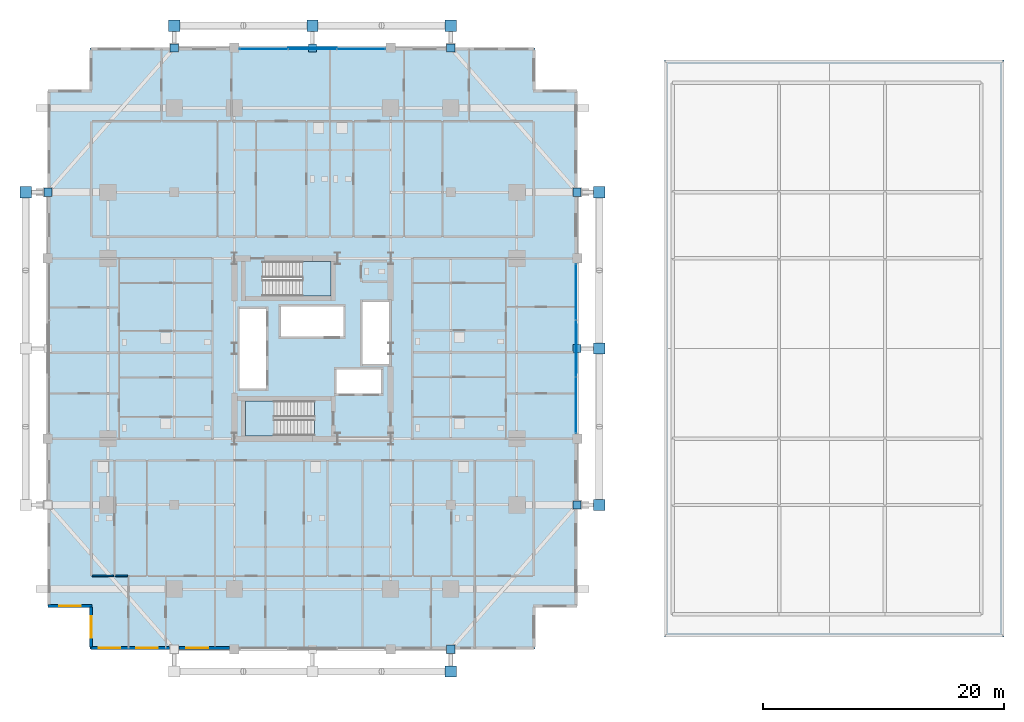
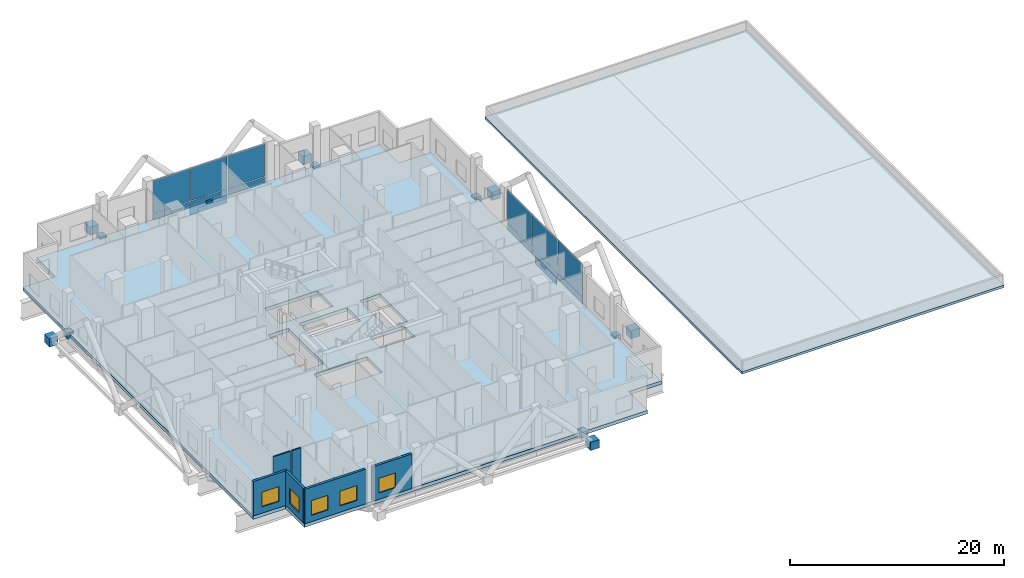
# One storey, part 22 of 33: 30 plates, 6 walls, 5 windows, 4 slabs, 5 openings, 4 elements without a shape of their own.
"""IFC4 building model written with IfcOpenShell, lengths in metres."""

from ifc_helpers import new_model, si_unit, direction, frame, frame_2d, origin, origin_2d, place, context, subcontext, project, spatial, polyline, rectangle, outline, extrude, material, layer, layer_set, type_object, element, fill, aggregate, save


model = new_model("IFC4")

# Units and contexts
model_context = context("Model", 3, precision=1e-05, world=origin(), true_north=direction((0.0, 1.0)))
body_context = subcontext(model_context, "Body", "Model", "MODEL_VIEW")
ifc_project = project(units=[si_unit("LENGTHUNIT", "METRE"), si_unit("AREAUNIT", "SQUARE_METRE"), si_unit("VOLUMEUNIT", "CUBIC_METRE"), si_unit("PLANEANGLEUNIT", "RADIAN"), si_unit("MASSUNIT", "GRAM", prefix="KILO")], contexts=[model_context])

# Site, building, storey
site_placement = place(None, origin())
site = spatial("IfcSite", under=ifc_project, at=site_placement, CompositionType="ELEMENT")
building_placement = place(site_placement, origin())
building = spatial("IfcBuilding", under=site, at=building_placement, Name="Barlavira Tower and Art Museum", CompositionType="ELEMENT")
storey_placement = place(building_placement, frame((0.0, 0.0, 27.60009765625)))
storey = spatial("IfcBuildingStorey", under=building, at=storey_placement, Name="L05", CompositionType="ELEMENT", Elevation=27.60009765625)

# Slab
ifc_material_1 = material(Name="Concrete C50", Category="concrete")
ifc_layer_1 = layer(ifc_material_1, 0.27001953125, Name="Concrete C50")
ifc_layer_set_1 = layer_set([ifc_layer_1], Name="Concrete C50")
slab_type_1 = type_object("IfcSlabType", Name="Coastal Art Museum Roof Slab 270 Concrete C50", PredefinedType="ROOF", material=ifc_layer_set_1)
slab_1_placement = place(storey_placement, frame((0.0, 0.0, -0.27001953125)))
element("IfcSlab", 1, at=slab_1_placement, inside=storey, type_object=slab_type_1, Name="L05 Coastal Art Museum Roof Slab", PredefinedType="ROOF", context=body_context, shape_type="SweptSolid", body=[
    extrude(outline(polyline([(29.25, -24.0), (57.5, -24.0), (57.5, 24.0), (29.25, 24.0), (29.25, -24.0)])), origin(), (0.0, 0.0, 1.0), 0.27001953125),
])

# Curtain wall, plates
ifc_material_2 = material(Name="Low-iron coastal laminated glass", Category="glass")
ifc_layer_2 = layer(ifc_material_2, 0.179931640625, Name="Low-iron coastal laminated glass")
ifc_layer_set_2 = layer_set([ifc_layer_2], Name="Low-iron coastal laminated glass")
curtain_wall_type = type_object("IfcCurtainWallType", Name="Pale-Metal Unitised Curtain Wall Zone 1", PredefinedType="NOTDEFINED", material=ifc_layer_set_2)
curtain_wall_1_placement = place(storey_placement, origin())
curtain_wall_1 = element("IfcCurtainWall", 2, at=curtain_wall_1_placement, inside=storey, type_object=curtain_wall_type, Name="L05 Curtain Wall CW1-L05-N-B3", PredefinedType="NOTDEFINED")
ifc_material_3 = material(Name="Pale anodised aluminium", Category="aluminium")
ifc_layer_3 = layer(ifc_material_3, 0.044921875, Name="Pale anodised aluminium")
ifc_layer_set_3 = layer_set([ifc_layer_3], Name="Pale anodised aluminium")
plate_type_1 = type_object("IfcPlateType", Name="Curtain Wall Pale-Metal Spandrel Panel 45", PredefinedType="CURTAIN_PANEL", material=ifc_layer_set_3)
plate_1_placement = place(storey_placement, frame((4.05322265625, 24.89990234375, 0.0400390625), z_axis=(0.0, 0.0, 1.0), x_axis=(-1.0, 0.0, 0.0)))
plate_1 = element("IfcPlate", 3, at=plate_1_placement, type_object=plate_type_1, Name="CW1-L05-N-B3 Spandrel Panel 0", PredefinedType="CURTAIN_PANEL", context=body_context, shape_type="SweptSolid", body=[
    extrude(rectangle(XDim=3.953369140625, YDim=0.044921875, at=origin_2d()), origin(), (0.0, 0.0, 1.0), 0.669921875),
])
plate_2_placement = place(storey_placement, frame((0.0, 24.89990234375, 0.0400390625), z_axis=(0.0, 0.0, 1.0), x_axis=(-1.0, 0.0, 0.0)))
plate_2 = element("IfcPlate", 4, at=plate_2_placement, type_object=plate_type_1, Name="CW1-L05-N-B3 Spandrel Panel 1", PredefinedType="CURTAIN_PANEL", context=body_context, shape_type="SweptSolid", body=[
    extrude(rectangle(XDim=3.953369140625, YDim=0.044921875, at=origin_2d()), origin(), (0.0, 0.0, 1.0), 0.669921875),
])
plate_3_placement = place(storey_placement, frame((-4.05322265625, 24.89990234375, 0.0400390625), z_axis=(0.0, 0.0, 1.0), x_axis=(-1.0, 0.0, 0.0)))
plate_3 = element("IfcPlate", 5, at=plate_3_placement, type_object=plate_type_1, Name="CW1-L05-N-B3 Spandrel Panel 2", PredefinedType="CURTAIN_PANEL", context=body_context, shape_type="SweptSolid", body=[
    extrude(rectangle(XDim=3.953369140625, YDim=0.044921875, at=origin_2d()), origin(), (0.0, 0.0, 1.0), 0.669921875),
])

curtain_wall_2_placement = place(storey_placement, origin())
curtain_wall_2 = element("IfcCurtainWall", 6, at=curtain_wall_2_placement, inside=storey, type_object=curtain_wall_type, Name="L05 Curtain Wall CW1-L05-E-B3", PredefinedType="NOTDEFINED")
plate_4_placement = place(storey_placement, frame((21.89990234375, -4.719970703125, 0.0400390625), z_axis=(0.0, 0.0, 1.0), x_axis=(0.0, 1.0, 0.0)))
plate_4 = element("IfcPlate", 7, at=plate_4_placement, type_object=plate_type_1, Name="CW1-L05-E-B3 Spandrel Panel 0", PredefinedType="CURTAIN_PANEL", context=body_context, shape_type="SweptSolid", body=[
    extrude(rectangle(XDim=4.6201171875, YDim=0.044921875, at=origin_2d()), origin(), (0.0, 0.0, 1.0), 0.669921875),
])
plate_5_placement = place(storey_placement, frame((21.89990234375, 0.0, 0.0400390625), z_axis=(0.0, 0.0, 1.0), x_axis=(0.0, 1.0, 0.0)))
plate_5 = element("IfcPlate", 8, at=plate_5_placement, type_object=plate_type_1, Name="CW1-L05-E-B3 Spandrel Panel 1", PredefinedType="CURTAIN_PANEL", context=body_context, shape_type="SweptSolid", body=[
    extrude(rectangle(XDim=4.6201171875, YDim=0.044921875, at=origin_2d()), origin(), (0.0, 0.0, 1.0), 0.669921875),
])
plate_6_placement = place(storey_placement, frame((21.89990234375, 4.719970703125, 0.0400390625), z_axis=(0.0, 0.0, 1.0), x_axis=(0.0, 1.0, 0.0)))
plate_6 = element("IfcPlate", 9, at=plate_6_placement, type_object=plate_type_1, Name="CW1-L05-E-B3 Spandrel Panel 2", PredefinedType="CURTAIN_PANEL", context=body_context, shape_type="SweptSolid", body=[
    extrude(rectangle(XDim=4.6201171875, YDim=0.044921875, at=origin_2d()), origin(), (0.0, 0.0, 1.0), 0.669921875),
])

# Plate
ifc_layer_4 = layer(ifc_material_2, 0.028076171875, Name="Low-iron coastal laminated glass")
ifc_layer_set_4 = layer_set([ifc_layer_4], Name="Low-iron coastal laminated glass")
plate_type_2 = type_object("IfcPlateType", Name="Curtain Wall Vision Glazing Panel 28", PredefinedType="CURTAIN_PANEL", material=ifc_layer_set_4)
plate_7_placement = place(storey_placement, frame((4.05322265625, 24.89990234375, 0.789794921875), z_axis=(0.0, 0.0, 1.0), x_axis=(-1.0, 0.0, 0.0)))
plate_7 = element("IfcPlate", 10, at=plate_7_placement, type_object=plate_type_2, Name="CW1-L05-N-B3 Vision Glass Panel 0", PredefinedType="CURTAIN_PANEL", context=body_context, shape_type="SweptSolid", body=[
    extrude(rectangle(XDim=3.953369140625, YDim=0.028076171875, at=origin_2d()), origin(), (0.0, 0.0, 1.0), 3.75),
])

plate_8_placement = place(storey_placement, frame((0.0, 24.89990234375, 0.789794921875), z_axis=(0.0, 0.0, 1.0), x_axis=(-1.0, 0.0, 0.0)))
plate_8 = element("IfcPlate", 11, at=plate_8_placement, type_object=plate_type_2, Name="CW1-L05-N-B3 Vision Glass Panel 1", PredefinedType="CURTAIN_PANEL", context=body_context, shape_type="SweptSolid", body=[
    extrude(rectangle(XDim=3.953369140625, YDim=0.028076171875, at=origin_2d()), origin(), (0.0, 0.0, 1.0), 3.75),
])

plate_9_placement = place(storey_placement, frame((-4.05322265625, 24.89990234375, 0.789794921875), z_axis=(0.0, 0.0, 1.0), x_axis=(-1.0, 0.0, 0.0)))
plate_9 = element("IfcPlate", 12, at=plate_9_placement, type_object=plate_type_2, Name="CW1-L05-N-B3 Vision Glass Panel 2", PredefinedType="CURTAIN_PANEL", context=body_context, shape_type="SweptSolid", body=[
    extrude(rectangle(XDim=3.953369140625, YDim=0.028076171875, at=origin_2d()), origin(), (0.0, 0.0, 1.0), 3.75),
])

aggregate(curtain_wall_1, [plate_1, plate_7, plate_2, plate_8, plate_3, plate_9])

plate_10_placement = place(storey_placement, frame((21.89990234375, -4.719970703125, 0.789794921875), z_axis=(0.0, 0.0, 1.0), x_axis=(0.0, 1.0, 0.0)))
plate_10 = element("IfcPlate", 13, at=plate_10_placement, type_object=plate_type_2, Name="CW1-L05-E-B3 Vision Glass Panel 0", PredefinedType="CURTAIN_PANEL", context=body_context, shape_type="SweptSolid", body=[
    extrude(rectangle(XDim=4.6201171875, YDim=0.028076171875, at=origin_2d()), origin(), (0.0, 0.0, 1.0), 3.75),
])

plate_11_placement = place(storey_placement, frame((21.89990234375, 0.0, 0.789794921875), z_axis=(0.0, 0.0, 1.0), x_axis=(0.0, 1.0, 0.0)))
plate_11 = element("IfcPlate", 14, at=plate_11_placement, type_object=plate_type_2, Name="CW1-L05-E-B3 Vision Glass Panel 1", PredefinedType="CURTAIN_PANEL", context=body_context, shape_type="SweptSolid", body=[
    extrude(rectangle(XDim=4.6201171875, YDim=0.028076171875, at=origin_2d()), origin(), (0.0, 0.0, 1.0), 3.75),
])

plate_12_placement = place(storey_placement, frame((21.89990234375, 4.719970703125, 0.789794921875), z_axis=(0.0, 0.0, 1.0), x_axis=(0.0, 1.0, 0.0)))
plate_12 = element("IfcPlate", 15, at=plate_12_placement, type_object=plate_type_2, Name="CW1-L05-E-B3 Vision Glass Panel 2", PredefinedType="CURTAIN_PANEL", context=body_context, shape_type="SweptSolid", body=[
    extrude(rectangle(XDim=4.6201171875, YDim=0.028076171875, at=origin_2d()), origin(), (0.0, 0.0, 1.0), 3.75),
])

aggregate(curtain_wall_2, [plate_4, plate_10, plate_5, plate_11, plate_6, plate_12])

# Plates
ifc_material_4 = material(Name="Steel S355", Category="steel")
ifc_layer_5 = layer(ifc_material_4, 0.93994140625, Name="Steel S355")
ifc_layer_set_5 = layer_set([ifc_layer_5], Name="Steel S355")
plate_type_3 = type_object("IfcPlateType", Name="Exoskeleton Solid Steel Node Cap Plate Assembly Type 1 Steel S355", PredefinedType="USERDEFINED", material=ifc_layer_set_5)
for number, where, z_axis, x_axis, name in (
    (16, (11.5, -26.85009765625, -0.590087890625), (0.0, 0.0, 1.0), (1.0, 0.0, 0.0), "Exoskeleton Node S ND-L05-0003"),
    (17, (-11.5, 26.85009765625, -0.590087890625), (0.0, 0.0, 1.0), (1.0, 0.0, 0.0), "Exoskeleton Node N ND-L05-0012"),
    (18, (0.0, 26.85009765625, -0.590087890625), (0.0, 0.0, 1.0), (1.0, 0.0, 0.0), "Exoskeleton Node N ND-L05-0013"),
    (19, (11.5, 26.85009765625, -0.590087890625), (0.0, 0.0, 1.0), (1.0, 0.0, 0.0), "Exoskeleton Node N ND-L05-0014"),
    (20, (-23.85009765625, 13.0, -0.590087890625), (0.0, 0.0, 1.0), (1.0, 0.0, 0.0), "Exoskeleton Node W ND-L05-0025"),
    (21, (23.85009765625, -13.0, -0.590087890625), (0.0, 0.0, 1.0), (1.0, 0.0, 0.0), "Exoskeleton Node E ND-L05-0034"),
    (22, (23.85009765625, 0.0, -0.590087890625), (0.0, 0.0, 1.0), (1.0, 0.0, 0.0), "Exoskeleton Node E ND-L05-0035"),
    (23, (23.85009765625, 13.0, -0.590087890625), (0.0, 0.0, 1.0), (1.0, 0.0, 0.0), "Exoskeleton Node E ND-L05-0036"),
):
    element("IfcPlate", number, at=place(storey_placement, frame(where, z_axis=z_axis, x_axis=x_axis)), inside=storey, type_object=plate_type_3, Name=name, ObjectType="FLANGE_PLATE", PredefinedType="USERDEFINED", context=body_context, shape_type="SweptSolid", body=[
        extrude(rectangle(XDim=0.93994140625, YDim=0.93994140625, at=origin_2d()), origin(), (0.0, 0.0, 1.0), 0.93994140625),
    ])
ifc_layer_6 = layer(ifc_material_4, 0.679931640625, Name="Steel S355")
ifc_layer_set_6 = layer_set([ifc_layer_6], Name="Steel S355")
plate_type_4 = type_object("IfcPlateType", Name="Exoskeleton Tie-Back Solid Cap Plate Assembly Type 5 Steel S355", PredefinedType="USERDEFINED", material=ifc_layer_set_6)
for number, where, z_axis, x_axis, name in (
    (24, (11.5, -25.0, -0.4599609375), (0.0, 0.0, 1.0), (1.0, 0.0, 0.0), "Slab Edge Tie Cap Plate S3 ND-L05-0011"),
    (25, (-11.5, 25.0, -0.4599609375), (0.0, 0.0, 1.0), (1.0, 0.0, 0.0), "Slab Edge Tie Cap Plate N1 ND-L05-0020"),
    (26, (0.0, 25.0, -0.4599609375), (0.0, 0.0, 1.0), (1.0, 0.0, 0.0), "Slab Edge Tie Cap Plate N2 ND-L05-0021"),
    (27, (11.5, 25.0, -0.4599609375), (0.0, 0.0, 1.0), (1.0, 0.0, 0.0), "Slab Edge Tie Cap Plate N3 ND-L05-0022"),
    (28, (-22.0, 13.0, -0.4599609375), (0.0, 0.0, 1.0), (1.0, 0.0, 0.0), "Slab Edge Tie Cap Plate W3 ND-L05-0033"),
    (29, (22.0, -13.0, -0.4599609375), (0.0, 0.0, 1.0), (1.0, 0.0, 0.0), "Slab Edge Tie Cap Plate E1 ND-L05-0042"),
    (30, (22.0, 0.0, -0.4599609375), (0.0, 0.0, 1.0), (1.0, 0.0, 0.0), "Slab Edge Tie Cap Plate E2 ND-L05-0043"),
    (31, (22.0, 13.0, -0.4599609375), (0.0, 0.0, 1.0), (1.0, 0.0, 0.0), "Slab Edge Tie Cap Plate E3 ND-L05-0044"),
):
    element("IfcPlate", number, at=place(storey_placement, frame(where, z_axis=z_axis, x_axis=x_axis)), inside=storey, type_object=plate_type_4, Name=name, ObjectType="FLANGE_PLATE", PredefinedType="USERDEFINED", context=body_context, shape_type="SweptSolid", body=[
        extrude(rectangle(XDim=0.679931640625, YDim=0.679931640625, at=origin_2d()), origin(), (0.0, 0.0, 1.0), 0.679931640625),
    ])
ifc_material_5 = material(Name="Pale anodised steel S355", Category="steel")
ifc_layer_7 = layer(ifc_material_5, 0.89990234375, Name="Pale anodised steel S355")
ifc_layer_set_7 = layer_set([ifc_layer_7], Name="Pale anodised steel S355")
plate_type_5 = type_object("IfcPlateType", Name="Pale-Metal Architectural Fascia Sheet Plate 25 Steel S355", PredefinedType="SHEET", material=ifc_layer_set_7)
for number, where, z_axis, x_axis, name in (
    (32, (0.0, 24.97998046875, -0.900146484375), (0.0, 0.0, 1.0), (1.0, 0.0, 0.0), "L05 Pale-Metal Fascia Sheet Plate 2"),
    (33, (21.97998046875, 0.0, -0.900146484375), (0.0, 0.0, 1.0), (0.0, 1.0, 0.0), "L05 Pale-Metal Fascia Sheet Plate 4"),
):
    element("IfcPlate", number, at=place(storey_placement, frame(where, z_axis=z_axis, x_axis=x_axis)), inside=storey, type_object=plate_type_5, Name=name, PredefinedType="SHEET", context=body_context, shape_type="SweptSolid", body=[
        extrude(rectangle(XDim=4.0, YDim=0.02490234375, at=origin_2d()), origin(), (0.0, 0.0, 1.0), 0.89990234375),
    ])

# Slab
ifc_material_6 = material(Name="Concrete C60", Category="concrete")
ifc_layer_8 = layer(ifc_material_6, 0.39990234375, Name="Concrete C60")
ifc_layer_set_8 = layer_set([ifc_layer_8], Name="Concrete C60")
slab_type_2 = type_object("IfcSlabType", Name="Podium Transfer Deck Slab 400 Concrete C60", PredefinedType="FLOOR", material=ifc_layer_set_8)
slab_2_placement = place(storey_placement, frame((0.0, 0.0, -0.400146484375)))
element("IfcSlab", 34, at=slab_2_placement, inside=storey, type_object=slab_type_2, Name="L05 Tower Floor Slab", PredefinedType="FLOOR", context=body_context, shape_type="SweptSolid", body=[
    extrude(outline(polyline([(-18.5, -25.0), (18.5, -25.0), (18.5, -21.5), (22.0, -21.5), (22.0, 21.5), (18.5, 21.5), (18.5, 25.0), (-18.5, 25.0), (-18.5, 21.5), (-22.0, 21.5), (-22.0, -21.5), (-18.5, -21.5), (-18.5, -25.0)]), holes=[polyline([(0.14990234375, -4.35009765625), (-5.550048828125, -4.35009765625), (-5.550048828125, -7.25), (0.14990234375, -7.25), (0.14990234375, -4.35009765625)]), polyline([(-4.169921875, 4.35009765625), (1.530029296875, 4.35009765625), (1.530029296875, 7.25), (-4.169921875, 7.25), (-4.169921875, 4.35009765625)]), polyline([(-6.050048828125, -3.31005859375), (-3.85009765625, -3.31005859375), (-3.85009765625, 3.31005859375), (-6.050048828125, 3.31005859375), (-6.050048828125, -3.31005859375)]), polyline([(4.14990234375, -1.2900390625), (6.35009765625, -1.2900390625), (6.35009765625, 3.889892578125), (4.14990234375, 3.889892578125), (4.14990234375, -1.2900390625)]), polyline([(-2.6201171875, 1.0), (2.56005859375, 1.0), (2.56005859375, 3.5), (-2.6201171875, 3.5), (-2.6201171875, 1.0)]), polyline([(2.0, -3.75), (5.699951171875, -3.75), (5.699951171875, -1.75), (2.0, -1.75), (2.0, -3.75)])]), origin(), (0.0, 0.0, 1.0), 0.400146484375),
])

# Stair, slab
ifc_material_7 = material(Name="Concrete C45", Category="concrete")
stair_type_1 = type_object("IfcStairType", Name="Tower North Dog-Leg Exit Stair Assembly Concrete C45", PredefinedType="TWO_QUARTER_TURN_STAIR", material=ifc_material_7)
stair_1_placement = place(storey_placement, origin())
stair_1 = element("IfcStair", 35, at=stair_1_placement, inside=storey, type_object=stair_type_1, Name="L05 Tower North Exit Stair ST-T2", PredefinedType="TWO_QUARTER_TURN_STAIR")
ifc_layer_9 = layer(ifc_material_7, 0.199951171875, Name="Concrete C45")
ifc_layer_set_9 = layer_set([ifc_layer_9], Name="Concrete C45")
slab_type_3 = type_object("IfcSlabType", Name="Tower North Dog-Leg Exit Stair Half-Landing Slab 200 Concrete C45", PredefinedType="LANDING", material=ifc_layer_set_9)
slab_3_placement = place(storey_placement, frame((0.0, 0.0, 2.199951171875)))
slab_3 = element("IfcSlab", 36, at=slab_3_placement, type_object=slab_type_3, Name="ST-T2 landing 1", PredefinedType="LANDING", context=body_context, shape_type="SweptSolid", body=[
    extrude(outline(polyline([(-0.81005859375, 4.35009765625), (1.530029296875, 4.35009765625), (1.530029296875, 7.25), (-0.81005859375, 7.25), (-0.81005859375, 4.35009765625)])), origin(), (0.0, 0.0, 1.0), 0.199951171875),
])
aggregate(stair_1, [slab_3])

stair_type_2 = type_object("IfcStairType", Name="Tower South Dog-Leg Exit Stair Assembly Concrete C45", PredefinedType="TWO_QUARTER_TURN_STAIR", material=ifc_material_7)
stair_2_placement = place(storey_placement, origin())
stair_2 = element("IfcStair", 37, at=stair_2_placement, inside=storey, type_object=stair_type_2, Name="L05 Tower South Exit Stair ST-T1", PredefinedType="TWO_QUARTER_TURN_STAIR")
ifc_layer_10 = layer(ifc_material_7, 0.199951171875, Name="Concrete C45")
ifc_layer_set_10 = layer_set([ifc_layer_10], Name="Concrete C45")
slab_type_4 = type_object("IfcSlabType", Name="Tower South Dog-Leg Exit Stair Half-Landing Slab 200 Concrete C45", PredefinedType="LANDING", material=ifc_layer_set_10)
slab_4_placement = place(storey_placement, frame((0.0, 0.0, 2.199951171875)))
slab_4 = element("IfcSlab", 38, at=slab_4_placement, type_object=slab_type_4, Name="ST-T1 landing 1", PredefinedType="LANDING", context=body_context, shape_type="SweptSolid", body=[
    extrude(outline(polyline([(-3.2099609375, -4.35009765625), (-5.550048828125, -4.35009765625), (-5.550048828125, -7.25), (-3.2099609375, -7.25), (-3.2099609375, -4.35009765625)])), origin(), (0.0, 0.0, 1.0), 0.199951171875),
])
aggregate(stair_2, [slab_4])

# Walls
ifc_material_8 = material(Name="Gypsum acoustic stud partition", Category="gypsum")
ifc_layer_11 = layer(ifc_material_8, 0.139892578125, Name="Gypsum acoustic stud partition")
ifc_layer_set_11 = layer_set([ifc_layer_11], Name="Gypsum acoustic stud partition")
wall_type_1 = type_object("IfcWallType", Name="Moisture-Resistant Bathroom Partition 140", PredefinedType="PARTITIONING", material=ifc_layer_set_11)
wall_1_placement = place(storey_placement, frame((-18.320068359375, -18.89990234375, 0.0), z_axis=(0.0, 0.0, 1.0), x_axis=(1.0, 0.0, 0.0)))
element("IfcWall", 39, at=wall_1_placement, inside=storey, type_object=wall_type_1, Name="L05 Partition Wall 33", PredefinedType="PARTITIONING", context=body_context, shape_type="SweptSolid", body=[
    extrude(rectangle(XDim=1.7900390625, YDim=0.139892578125, at=frame_2d((0.89501953125, 0.0))), origin(), (0.0, 0.0, 1.0), 3.935791015625),
])
wall_2_placement = place(storey_placement, frame((-16.3701171875, -18.89990234375, 0.0), z_axis=(0.0, 0.0, 1.0), x_axis=(1.0, 0.0, 0.0)))
element("IfcWall", 40, at=wall_2_placement, inside=storey, type_object=wall_type_1, Name="L05 Partition Wall 34", PredefinedType="PARTITIONING", context=body_context, shape_type="SweptSolid", body=[
    extrude(rectangle(XDim=0.990234375, YDim=0.139892578125, at=frame_2d((0.4951171875, 0.0))), origin(), (0.0, 0.0, 1.0), 3.935791015625),
])

# Wall, openings, windows
ifc_material_9 = material(Name="Precast concrete C40", Category="concrete")
ifc_layer_12 = layer(ifc_material_9, 0.25, Name="Precast concrete C40")
ifc_layer_set_12 = layer_set([ifc_layer_12], Name="Precast concrete C40")
wall_type_2 = type_object("IfcWallType", Name="Notched Corner Spandrel Wall 250 Precast Concrete C40", PredefinedType="SOLIDWALL", material=ifc_layer_set_12)
wall_3_placement = place(storey_placement, frame((-18.425048828125, -24.89990234375, 0.0), z_axis=(0.0, 0.0, 1.0), x_axis=(1.0, 0.0, 0.0)))
wall_3 = element("IfcWall", 41, at=wall_3_placement, inside=storey, type_object=wall_type_2, Name="L05 Coastal Facade Pier Wall CW1-L05-S-1", PredefinedType="SOLIDWALL", context=body_context, shape_type="SweptSolid", body=[
    extrude(rectangle(XDim=6.530029296875, YDim=0.25, at=frame_2d((3.26513671875, 0.0))), origin(), (0.0, 0.0, 1.0), 3.935791015625),
])
opening_1_placement = place(wall_3_placement, frame((0.656982421875, 0.0, 0.719970703125)))
opening_1 = element("IfcOpeningElement", 42, at=opening_1_placement, cuts=wall_3, Name="Opening WN-01", PredefinedType="OPENING", context=body_context, shape_type="SweptSolid", body=[
    extrude(rectangle(XDim=1.800048828125, YDim=1.679931640625, at=frame_2d((0.89990234375, 0.83984375))), frame((0.0, 0.135009765625, 0.0), z_axis=(0.0, -1.0, 0.0), x_axis=(1.0, 0.0, 0.0)), (0.0, 0.0, 1.0), 0.27001953125),
])
opening_2_placement = place(wall_3_placement, frame((3.760009765625, 0.0, 0.719970703125)))
opening_2 = element("IfcOpeningElement", 43, at=opening_2_placement, cuts=wall_3, Name="Opening WN-01", PredefinedType="OPENING", context=body_context, shape_type="SweptSolid", body=[
    extrude(rectangle(XDim=1.800048828125, YDim=1.679931640625, at=frame_2d((0.89990234375, 0.83984375))), frame((0.0, 0.135009765625, 0.0), z_axis=(0.0, -1.0, 0.0), x_axis=(1.0, 0.0, 0.0)), (0.0, 0.0, 1.0), 0.27001953125),
])
window_type = type_object("IfcWindowType", Name="Recessed Notch Corner Punch Window 1800x1680", PartitioningType="SINGLE_PANEL", PredefinedType="WINDOW", material=ifc_material_2)
window_1_placement = place(opening_1_placement, origin())
window_1 = element("IfcWindow", 44, at=window_1_placement, inside=storey, type_object=window_type, Name="L05 Punched Facade Window EWP-CW1-L05-S-1-1", OverallHeight=1.679931640625, OverallWidth=1.800048828125, PartitioningType="SINGLE_PANEL", PredefinedType="WINDOW", context=body_context, shape_type="SweptSolid", body=[
    extrude(rectangle(XDim=1.800048828125, YDim=1.679931640625, at=frame_2d((0.89990234375, 0.83984375))), frame((0.0, 0.030029296875, 0.0), z_axis=(0.0, -1.0, 0.0), x_axis=(1.0, 0.0, 0.0)), (0.0, 0.0, 1.0), 0.06005859375),
])
fill(opening_1, window_1)
window_2_placement = place(opening_2_placement, origin())
window_2 = element("IfcWindow", 45, at=window_2_placement, inside=storey, type_object=window_type, Name="L05 Punched Facade Window EWP-CW1-L05-S-1-2", OverallHeight=1.679931640625, OverallWidth=1.800048828125, PartitioningType="SINGLE_PANEL", PredefinedType="WINDOW", context=body_context, shape_type="SweptSolid", body=[
    extrude(rectangle(XDim=1.800048828125, YDim=1.679931640625, at=frame_2d((0.89990234375, 0.83984375))), frame((0.0, 0.030029296875, 0.0), z_axis=(0.0, -1.0, 0.0), x_axis=(1.0, 0.0, 0.0)), (0.0, 0.0, 1.0), 0.06005859375),
])
fill(opening_2, window_2)

# Wall, opening, window
wall_4_placement = place(storey_placement, frame((-11.10498046875, -24.89990234375, 0.0), z_axis=(0.0, 0.0, 1.0), x_axis=(1.0, 0.0, 0.0)))
wall_4 = element("IfcWall", 46, at=wall_4_placement, inside=storey, type_object=wall_type_2, Name="L05 Coastal Facade Pier Wall CW1-L05-S-2", PredefinedType="SOLIDWALL", context=body_context, shape_type="SweptSolid", body=[
    extrude(rectangle(XDim=4.2099609375, YDim=0.25, at=frame_2d((2.10498046875, 0.0))), origin(), (0.0, 0.0, 1.0), 3.935791015625),
])
opening_3_placement = place(wall_4_placement, frame((0.625, 0.0, 0.719970703125)))
opening_3 = element("IfcOpeningElement", 47, at=opening_3_placement, cuts=wall_4, Name="Opening WN-01", PredefinedType="OPENING", context=body_context, shape_type="SweptSolid", body=[
    extrude(rectangle(XDim=1.800048828125, YDim=1.679931640625, at=frame_2d((0.89990234375, 0.83984375))), frame((0.0, 0.135009765625, 0.0), z_axis=(0.0, -1.0, 0.0), x_axis=(1.0, 0.0, 0.0)), (0.0, 0.0, 1.0), 0.27001953125),
])
window_3_placement = place(opening_3_placement, origin())
window_3 = element("IfcWindow", 48, at=window_3_placement, inside=storey, type_object=window_type, Name="L05 Punched Facade Window EWP-CW1-L05-S-2-1", OverallHeight=1.679931640625, OverallWidth=1.800048828125, PartitioningType="SINGLE_PANEL", PredefinedType="WINDOW", context=body_context, shape_type="SweptSolid", body=[
    extrude(rectangle(XDim=1.800048828125, YDim=1.679931640625, at=frame_2d((0.89990234375, 0.83984375))), frame((0.0, 0.030029296875, 0.0), z_axis=(0.0, -1.0, 0.0), x_axis=(1.0, 0.0, 0.0)), (0.0, 0.0, 1.0), 0.06005859375),
])
fill(opening_3, window_3)

wall_5_placement = place(storey_placement, frame((-21.97998046875, -21.39990234375, 0.0), z_axis=(0.0, 0.0, 1.0), x_axis=(1.0, 0.0, 0.0)))
wall_5 = element("IfcWall", 49, at=wall_5_placement, inside=storey, type_object=wall_type_2, Name="L05 Notch Corner Wall SW1", PredefinedType="SOLIDWALL", context=body_context, shape_type="SweptSolid", body=[
    extrude(rectangle(XDim=3.659912109375, YDim=0.25, at=frame_2d((1.830078125, 0.0))), origin(), (0.0, 0.0, 1.0), 3.935791015625),
])
opening_4_placement = place(wall_5_placement, frame((0.929931640625, 0.0, 0.719970703125)))
opening_4 = element("IfcOpeningElement", 50, at=opening_4_placement, cuts=wall_5, Name="Opening WN-01", PredefinedType="OPENING", context=body_context, shape_type="SweptSolid", body=[
    extrude(rectangle(XDim=1.800048828125, YDim=1.679931640625, at=frame_2d((0.89990234375, 0.83984375))), frame((0.0, 0.135009765625, 0.0), z_axis=(0.0, -1.0, 0.0), x_axis=(1.0, 0.0, 0.0)), (0.0, 0.0, 1.0), 0.27001953125),
])
window_4_placement = place(opening_4_placement, origin())
window_4 = element("IfcWindow", 51, at=window_4_placement, inside=storey, type_object=window_type, Name="L05 Punched Facade Window EW-NTC-L05-SW1-1", OverallHeight=1.679931640625, OverallWidth=1.800048828125, PartitioningType="SINGLE_PANEL", PredefinedType="WINDOW", context=body_context, shape_type="SweptSolid", body=[
    extrude(rectangle(XDim=1.800048828125, YDim=1.679931640625, at=frame_2d((0.89990234375, 0.83984375))), frame((0.0, 0.030029296875, 0.0), z_axis=(0.0, -1.0, 0.0), x_axis=(1.0, 0.0, 0.0)), (0.0, 0.0, 1.0), 0.06005859375),
])
fill(opening_4, window_4)

wall_6_placement = place(storey_placement, frame((-18.39990234375, -21.47998046875, 0.0), z_axis=(0.0, 0.0, 1.0), x_axis=(0.0, -1.0, 0.0)))
wall_6 = element("IfcWall", 52, at=wall_6_placement, inside=storey, type_object=wall_type_2, Name="L05 Notch Corner Wall SW2", PredefinedType="SOLIDWALL", context=body_context, shape_type="SweptSolid", body=[
    extrude(rectangle(XDim=3.340087890625, YDim=0.25, at=frame_2d((1.669921875, 0.0))), origin(), (0.0, 0.0, 1.0), 3.935791015625),
])
opening_5_placement = place(wall_6_placement, frame((0.77001953125, 0.0, 0.719970703125)))
opening_5 = element("IfcOpeningElement", 53, at=opening_5_placement, cuts=wall_6, Name="Opening WN-01", PredefinedType="OPENING", context=body_context, shape_type="SweptSolid", body=[
    extrude(rectangle(XDim=1.800048828125, YDim=1.679931640625, at=frame_2d((0.89990234375, 0.83984375))), frame((0.0, 0.135009765625, 0.0), z_axis=(0.0, -1.0, 0.0), x_axis=(1.0, 0.0, 0.0)), (0.0, 0.0, 1.0), 0.27001953125),
])
window_5_placement = place(opening_5_placement, origin())
window_5 = element("IfcWindow", 54, at=window_5_placement, inside=storey, type_object=window_type, Name="L05 Punched Facade Window EW-NTC-L05-SW2-1", OverallHeight=1.679931640625, OverallWidth=1.800048828125, PartitioningType="SINGLE_PANEL", PredefinedType="WINDOW", context=body_context, shape_type="SweptSolid", body=[
    extrude(rectangle(XDim=1.800048828125, YDim=1.679931640625, at=frame_2d((0.89990234375, 0.83984375))), frame((0.0, 0.030029296875, 0.0), z_axis=(0.0, -1.0, 0.0), x_axis=(1.0, 0.0, 0.0)), (0.0, 0.0, 1.0), 0.06005859375),
])
fill(opening_5, window_5)

save(model, "model.ifc")
